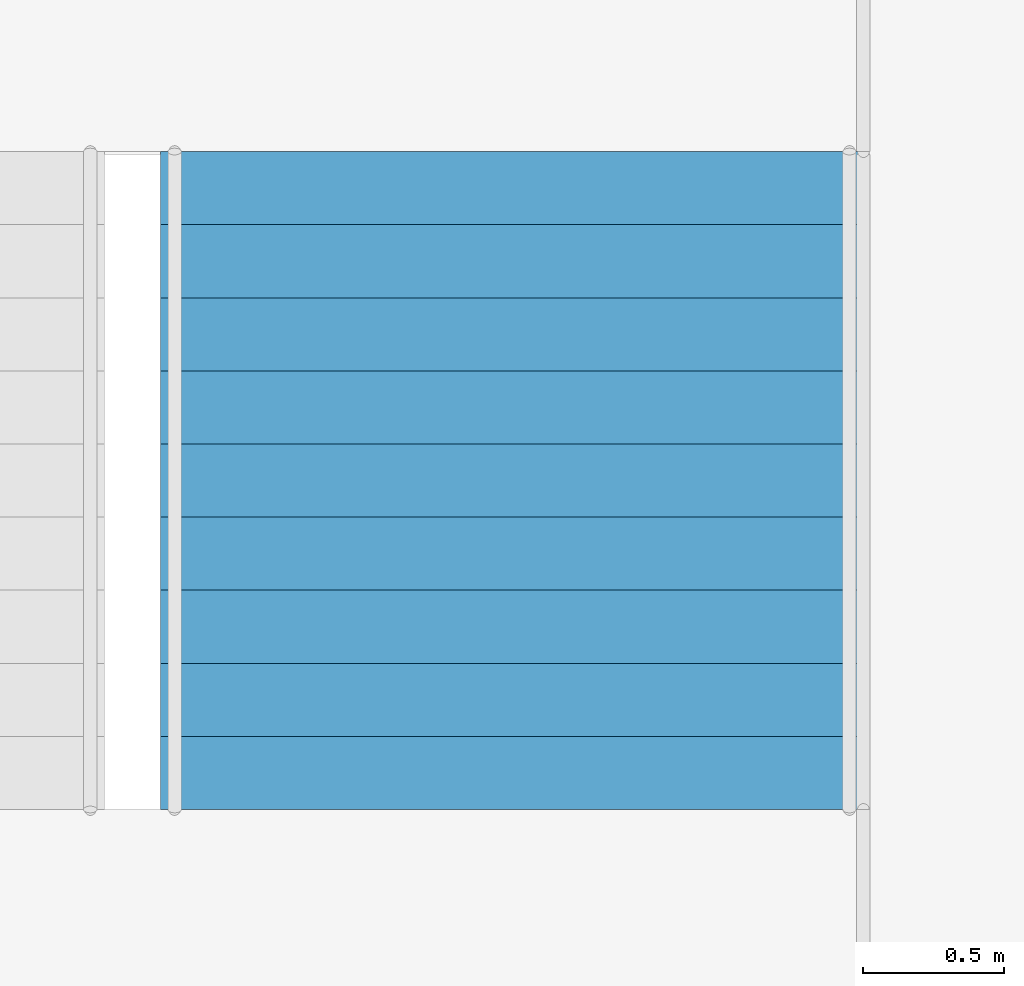
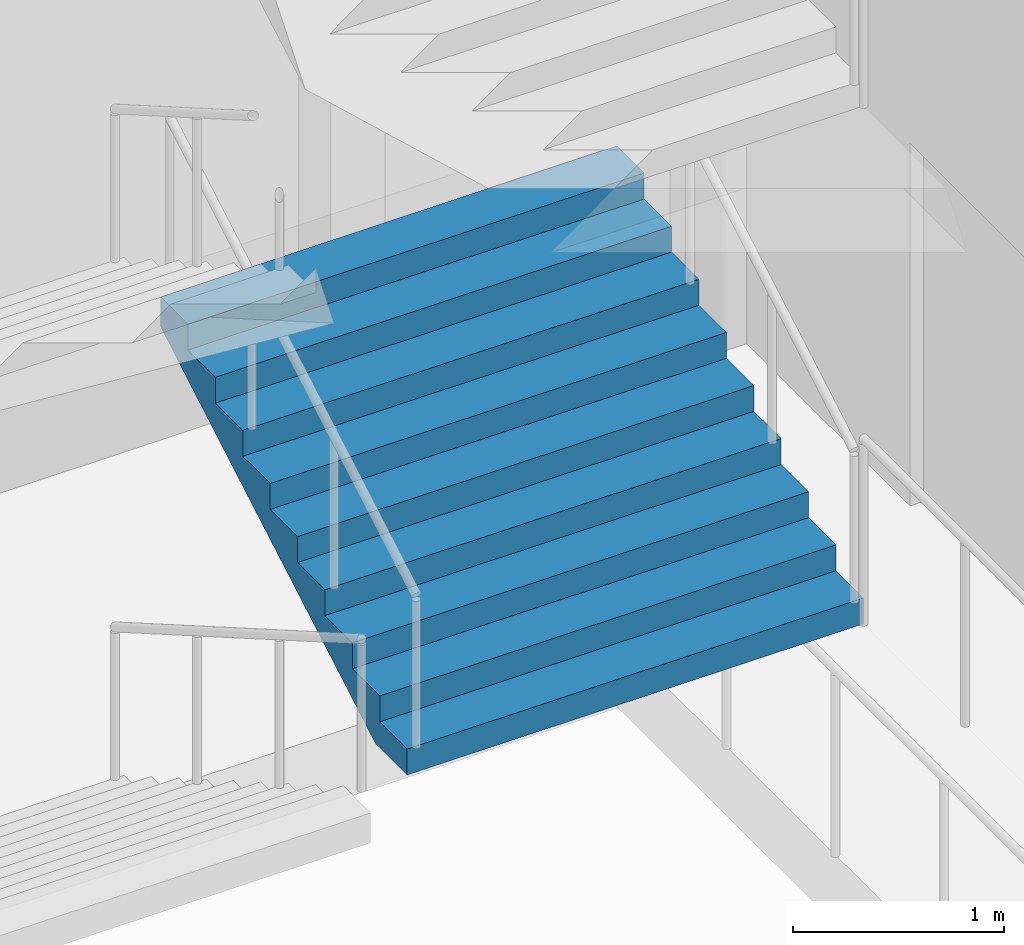
# One storey, part 60 of 100: 1 stair flight, 1 element without a shape of its own.
"""IFC4 building model written with IfcOpenShell, lengths in metres."""

from ifc_helpers import new_model, si_unit, direction, frame, origin, place, context, subcontext, project, spatial, triangles, material, type_object, element, aggregate, save


model = new_model("IFC4")

# Units and contexts
model_context = context("Model", 3, precision=1e-05, world=origin(), true_north=direction((0.0, 1.0)))
body_context = subcontext(model_context, "Body", "Model", "MODEL_VIEW")
ifc_project = project(units=[si_unit("LENGTHUNIT", "METRE"), si_unit("AREAUNIT", "SQUARE_METRE"), si_unit("VOLUMEUNIT", "CUBIC_METRE"), si_unit("PLANEANGLEUNIT", "RADIAN"), si_unit("MASSUNIT", "GRAM", prefix="KILO")], contexts=[model_context])

# Site, building, storey
site_placement = place(None, origin())
site = spatial("IfcSite", under=ifc_project, at=site_placement, CompositionType="ELEMENT")
building_placement = place(site_placement, origin())
building = spatial("IfcBuilding", under=site, at=building_placement, Name="Hakoniwa Tower and Hamabe Station Hall", CompositionType="ELEMENT")
storey_placement = place(building_placement, frame((0.0, 0.0, 9.0)))
storey = spatial("IfcBuildingStorey", under=building, at=storey_placement, Name="L02", CompositionType="ELEMENT", Elevation=9.0)

# Stair, stair flight
ifc_material_1 = material(Name="Concrete C40", Category="concrete")
stair_type = type_object("IfcStairType", Name="STAIR 2500 10X150", PredefinedType="HALF_TURN_STAIR", material=ifc_material_1)
stair_placement = place(storey_placement, origin())
stair = element("IfcStair", 1, at=stair_placement, inside=storey, type_object=stair_type, Name="Escape stair PS1", PredefinedType="HALF_TURN_STAIR")
ifc_material_2 = material(Name="Concrete C40", Category="concrete")
stair_flight_type = type_object("IfcStairFlightType", Name="STAIR FLIGHT 2500", PredefinedType="STRAIGHT", material=ifc_material_2)
stair_flight_placement = place(storey_placement, frame((-45.10009765625, 20.010009765625, 1.5), z_axis=(0.0, 0.0, 1.0), x_axis=(0.0, 1.0, 0.0)))
stair_flight = element("IfcStairFlight", 2, at=stair_flight_placement, type_object=stair_flight_type, Name="PS1 flight 2", NumberOfRisers=10, NumberOfTreads=9, PredefinedType="STRAIGHT", RiserHeight=0.15, TreadLength=0.26, context=body_context, shape_type="Tessellation", body=[
    triangles([(0.0, 1.25, 0.0), (0.260009765625, 1.25, 0.0), (0.300048828125, 1.25, 0.0), (0.52001953125, 1.25, 0.126953125), (0.780029296875, 1.25, 0.27685546875), (1.0400390625, 1.25, 0.427001953125), (1.300048828125, 1.25, 0.576904296875), (1.56005859375, 1.25, 0.72705078125), (1.820068359375, 1.25, 0.876953125), (2.080078125, 1.25, 1.02685546875), (2.340087890625, 1.25, 1.177001953125), (2.340087890625, 1.25, 1.35009765625), (2.080078125, 1.25, 1.35009765625), (2.080078125, 1.25, 1.199951171875), (1.820068359375, 1.25, 1.199951171875), (1.820068359375, 1.25, 1.050048828125), (1.56005859375, 1.25, 1.050048828125), (1.56005859375, 1.25, 0.89990234375), (1.300048828125, 1.25, 0.89990234375), (1.300048828125, 1.25, 0.75), (1.0400390625, 1.25, 0.75), (1.0400390625, 1.25, 0.60009765625), (0.780029296875, 1.25, 0.60009765625), (0.780029296875, 1.25, 0.449951171875), (0.52001953125, 1.25, 0.449951171875), (0.52001953125, 1.25, 0.300048828125), (0.300048828125, 1.25, 0.300048828125), (0.260009765625, 1.25, 0.300048828125), (0.260009765625, 1.25, 0.14990234375), (0.0, 1.25, 0.14990234375), (0.0, 0.06005859375, 0.0), (0.260009765625, 0.06005859375, 0.0), (0.300048828125, 0.06005859375, 0.0), (0.52001953125, 0.06005859375, 0.126953125), (0.780029296875, 0.06005859375, 0.27685546875), (1.0400390625, 0.06005859375, 0.427001953125), (1.300048828125, 0.06005859375, 0.576904296875), (1.56005859375, 0.06005859375, 0.72705078125), (1.820068359375, 0.06005859375, 0.876953125), (2.080078125, 0.06005859375, 1.02685546875), (2.340087890625, 0.06005859375, 1.177001953125), (2.340087890625, 0.06005859375, 1.35009765625), (2.080078125, 0.06005859375, 1.35009765625), (2.080078125, 0.06005859375, 1.199951171875), (1.820068359375, 0.06005859375, 1.199951171875), (1.820068359375, 0.06005859375, 1.050048828125), (1.56005859375, 0.06005859375, 1.050048828125), (1.56005859375, 0.06005859375, 0.89990234375), (1.300048828125, 0.06005859375, 0.89990234375), (1.300048828125, 0.06005859375, 0.75), (1.0400390625, 0.06005859375, 0.75), (1.0400390625, 0.06005859375, 0.60009765625), (0.780029296875, 0.06005859375, 0.60009765625), (0.780029296875, 0.06005859375, 0.449951171875), (0.52001953125, 0.06005859375, 0.449951171875), (0.52001953125, 0.06005859375, 0.300048828125), (0.300048828125, 0.06005859375, 0.300048828125), (0.260009765625, 0.06005859375, 0.300048828125), (0.260009765625, 0.06005859375, 0.14990234375), (0.0, 0.06005859375, 0.14990234375), (0.0, 0.049072265625, 0.0), (0.260009765625, 0.049072265625, 0.0), (0.300048828125, 0.049072265625, 0.0), (0.52001953125, 0.049072265625, 0.126953125), (0.780029296875, 0.049072265625, 0.27685546875), (1.0400390625, 0.049072265625, 0.427001953125), (1.300048828125, 0.049072265625, 0.576904296875), (1.56005859375, 0.049072265625, 0.72705078125), (1.820068359375, 0.049072265625, 0.876953125), (2.080078125, 0.049072265625, 1.02685546875), (2.340087890625, 0.049072265625, 1.177001953125), (2.340087890625, 0.049072265625, 1.35009765625), (2.080078125, 0.049072265625, 1.35009765625), (2.080078125, 0.049072265625, 1.199951171875), (1.820068359375, 0.049072265625, 1.199951171875), (1.820068359375, 0.049072265625, 1.050048828125), (1.56005859375, 0.049072265625, 1.050048828125), (1.56005859375, 0.049072265625, 0.89990234375), (1.300048828125, 0.049072265625, 0.89990234375), (1.300048828125, 0.049072265625, 0.75), (1.0400390625, 0.049072265625, 0.75), (1.0400390625, 0.049072265625, 0.60009765625), (0.780029296875, 0.049072265625, 0.60009765625), (0.780029296875, 0.049072265625, 0.449951171875), (0.52001953125, 0.049072265625, 0.449951171875), (0.52001953125, 0.049072265625, 0.300048828125), (0.300048828125, 0.049072265625, 0.300048828125), (0.260009765625, 0.049072265625, 0.300048828125), (0.260009765625, 0.049072265625, 0.14990234375), (0.0, 0.049072265625, 0.14990234375), (0.0, 0.0380859375, 0.0), (0.260009765625, 0.0380859375, 0.0), (0.300048828125, 0.0380859375, 0.0), (0.52001953125, 0.0380859375, 0.126953125), (0.780029296875, 0.0380859375, 0.27685546875), (1.0400390625, 0.0380859375, 0.427001953125), (1.300048828125, 0.0380859375, 0.576904296875), (1.56005859375, 0.0380859375, 0.72705078125), (1.820068359375, 0.0380859375, 0.876953125), (2.080078125, 0.0380859375, 1.02685546875), (2.340087890625, 0.0380859375, 1.177001953125), (2.340087890625, 0.0380859375, 1.35009765625), (2.080078125, 0.0380859375, 1.35009765625), (2.080078125, 0.0380859375, 1.199951171875), (1.820068359375, 0.0380859375, 1.199951171875), (1.820068359375, 0.0380859375, 1.050048828125), (1.56005859375, 0.0380859375, 1.050048828125), (1.56005859375, 0.0380859375, 0.89990234375), (1.300048828125, 0.0380859375, 0.89990234375), (1.300048828125, 0.0380859375, 0.75), (1.0400390625, 0.0380859375, 0.75), (1.0400390625, 0.0380859375, 0.60009765625), (0.780029296875, 0.0380859375, 0.60009765625), (0.780029296875, 0.0380859375, 0.449951171875), (0.52001953125, 0.0380859375, 0.449951171875), (0.52001953125, 0.0380859375, 0.300048828125), (0.300048828125, 0.0380859375, 0.300048828125), (0.260009765625, 0.0380859375, 0.300048828125), (0.260009765625, 0.0380859375, 0.14990234375), (0.0, 0.0380859375, 0.14990234375), (0.0, 0.02734375, 0.0), (0.260009765625, 0.02734375, 0.0), (0.300048828125, 0.02734375, 0.0), (0.52001953125, 0.02734375, 0.126953125), (0.780029296875, 0.02734375, 0.27685546875), (1.0400390625, 0.02734375, 0.427001953125), (1.300048828125, 0.02734375, 0.576904296875), (1.56005859375, 0.02734375, 0.72705078125), (1.820068359375, 0.02734375, 0.876953125), (2.080078125, 0.02734375, 1.02685546875), (2.340087890625, 0.02734375, 1.177001953125), (2.340087890625, 0.02734375, 1.35009765625), (2.080078125, 0.02734375, 1.35009765625), (2.080078125, 0.02734375, 1.199951171875), (1.820068359375, 0.02734375, 1.199951171875), (1.820068359375, 0.02734375, 1.050048828125), (1.56005859375, 0.02734375, 1.050048828125), (1.56005859375, 0.02734375, 0.89990234375), (1.300048828125, 0.02734375, 0.89990234375), (1.300048828125, 0.02734375, 0.75), (1.0400390625, 0.02734375, 0.75), (1.0400390625, 0.02734375, 0.60009765625), (0.780029296875, 0.02734375, 0.60009765625), (0.780029296875, 0.02734375, 0.449951171875), (0.52001953125, 0.02734375, 0.449951171875), (0.52001953125, 0.02734375, 0.300048828125), (0.300048828125, 0.02734375, 0.300048828125), (0.260009765625, 0.02734375, 0.300048828125), (0.260009765625, 0.02734375, 0.14990234375), (0.0, 0.02734375, 0.14990234375), (0.0, 0.016357421875, 0.0), (0.260009765625, 0.016357421875, 0.0), (0.300048828125, 0.016357421875, 0.0), (0.52001953125, 0.016357421875, 0.126953125), (0.780029296875, 0.016357421875, 0.27685546875), (1.0400390625, 0.016357421875, 0.427001953125), (1.300048828125, 0.016357421875, 0.576904296875), (1.56005859375, 0.016357421875, 0.72705078125), (1.820068359375, 0.016357421875, 0.876953125), (2.080078125, 0.016357421875, 1.02685546875), (2.340087890625, 0.016357421875, 1.177001953125), (2.340087890625, 0.016357421875, 1.35009765625), (2.080078125, 0.016357421875, 1.35009765625), (2.080078125, 0.016357421875, 1.199951171875), (1.820068359375, 0.016357421875, 1.199951171875), (1.820068359375, 0.016357421875, 1.050048828125), (1.56005859375, 0.016357421875, 1.050048828125), (1.56005859375, 0.016357421875, 0.89990234375), (1.300048828125, 0.016357421875, 0.89990234375), (1.300048828125, 0.016357421875, 0.75), (1.0400390625, 0.016357421875, 0.75), (1.0400390625, 0.016357421875, 0.60009765625), (0.780029296875, 0.016357421875, 0.60009765625), (0.780029296875, 0.016357421875, 0.449951171875), (0.52001953125, 0.016357421875, 0.449951171875), (0.52001953125, 0.016357421875, 0.300048828125), (0.300048828125, 0.016357421875, 0.300048828125), (0.260009765625, 0.016357421875, 0.300048828125), (0.260009765625, 0.016357421875, 0.14990234375), (0.0, 0.016357421875, 0.14990234375), (0.0, 0.00537109375, 0.0), (0.260009765625, 0.00537109375, 0.0), (0.300048828125, 0.00537109375, 0.0), (0.52001953125, 0.00537109375, 0.126953125), (0.780029296875, 0.00537109375, 0.27685546875), (1.0400390625, 0.00537109375, 0.427001953125), (1.300048828125, 0.00537109375, 0.576904296875), (1.56005859375, 0.00537109375, 0.72705078125), (1.820068359375, 0.00537109375, 0.876953125), (2.080078125, 0.00537109375, 1.02685546875), (2.340087890625, 0.00537109375, 1.177001953125), (2.340087890625, 0.00537109375, 1.35009765625), (2.080078125, 0.00537109375, 1.35009765625), (2.080078125, 0.00537109375, 1.199951171875), (1.820068359375, 0.00537109375, 1.199951171875), (1.820068359375, 0.00537109375, 1.050048828125), (1.56005859375, 0.00537109375, 1.050048828125), (1.56005859375, 0.00537109375, 0.89990234375), (1.300048828125, 0.00537109375, 0.89990234375), (1.300048828125, 0.00537109375, 0.75), (1.0400390625, 0.00537109375, 0.75), (1.0400390625, 0.00537109375, 0.60009765625), (0.780029296875, 0.00537109375, 0.60009765625), (0.780029296875, 0.00537109375, 0.449951171875), (0.52001953125, 0.00537109375, 0.449951171875), (0.52001953125, 0.00537109375, 0.300048828125), (0.300048828125, 0.00537109375, 0.300048828125), (0.260009765625, 0.00537109375, 0.300048828125), (0.260009765625, 0.00537109375, 0.14990234375), (0.0, 0.00537109375, 0.14990234375), (0.0, -0.00537109375, 0.0), (0.260009765625, -0.00537109375, 0.0), (0.300048828125, -0.00537109375, 0.0), (0.52001953125, -0.00537109375, 0.126953125), (0.780029296875, -0.00537109375, 0.27685546875), (1.0400390625, -0.00537109375, 0.427001953125), (1.300048828125, -0.00537109375, 0.576904296875), (1.56005859375, -0.00537109375, 0.72705078125), (1.820068359375, -0.00537109375, 0.876953125), (2.080078125, -0.00537109375, 1.02685546875), (2.340087890625, -0.00537109375, 1.177001953125), (2.340087890625, -0.00537109375, 1.35009765625), (2.080078125, -0.00537109375, 1.35009765625), (2.080078125, -0.00537109375, 1.199951171875), (1.820068359375, -0.00537109375, 1.199951171875), (1.820068359375, -0.00537109375, 1.050048828125), (1.56005859375, -0.00537109375, 1.050048828125), (1.56005859375, -0.00537109375, 0.89990234375), (1.300048828125, -0.00537109375, 0.89990234375), (1.300048828125, -0.00537109375, 0.75), (1.0400390625, -0.00537109375, 0.75), (1.0400390625, -0.00537109375, 0.60009765625), (0.780029296875, -0.00537109375, 0.60009765625), (0.780029296875, -0.00537109375, 0.449951171875), (0.52001953125, -0.00537109375, 0.449951171875), (0.52001953125, -0.00537109375, 0.300048828125), (0.300048828125, -0.00537109375, 0.300048828125), (0.260009765625, -0.00537109375, 0.300048828125), (0.260009765625, -0.00537109375, 0.14990234375), (0.0, -0.00537109375, 0.14990234375), (0.0, -0.016357421875, 0.0), (0.260009765625, -0.016357421875, 0.0), (0.300048828125, -0.016357421875, 0.0), (0.52001953125, -0.016357421875, 0.126953125), (0.780029296875, -0.016357421875, 0.27685546875), (1.0400390625, -0.016357421875, 0.427001953125), (1.300048828125, -0.016357421875, 0.576904296875), (1.56005859375, -0.016357421875, 0.72705078125), (1.820068359375, -0.016357421875, 0.876953125), (2.080078125, -0.016357421875, 1.02685546875), (2.340087890625, -0.016357421875, 1.177001953125), (2.340087890625, -0.016357421875, 1.35009765625), (2.080078125, -0.016357421875, 1.35009765625), (2.080078125, -0.016357421875, 1.199951171875), (1.820068359375, -0.016357421875, 1.199951171875), (1.820068359375, -0.016357421875, 1.050048828125), (1.56005859375, -0.016357421875, 1.050048828125), (1.56005859375, -0.016357421875, 0.89990234375), (1.300048828125, -0.016357421875, 0.89990234375), (1.300048828125, -0.016357421875, 0.75), (1.0400390625, -0.016357421875, 0.75), (1.0400390625, -0.016357421875, 0.60009765625), (0.780029296875, -0.016357421875, 0.60009765625), (0.780029296875, -0.016357421875, 0.449951171875), (0.52001953125, -0.016357421875, 0.449951171875), (0.52001953125, -0.016357421875, 0.300048828125), (0.300048828125, -0.016357421875, 0.300048828125), (0.260009765625, -0.016357421875, 0.300048828125), (0.260009765625, -0.016357421875, 0.14990234375), (0.0, -0.016357421875, 0.14990234375), (0.0, -0.02734375, 0.0), (0.260009765625, -0.02734375, 0.0), (0.300048828125, -0.02734375, 0.0), (0.52001953125, -0.02734375, 0.126953125), (0.780029296875, -0.02734375, 0.27685546875), (1.0400390625, -0.02734375, 0.427001953125), (1.300048828125, -0.02734375, 0.576904296875), (1.56005859375, -0.02734375, 0.72705078125), (1.820068359375, -0.02734375, 0.876953125), (2.080078125, -0.02734375, 1.02685546875), (2.340087890625, -0.02734375, 1.177001953125), (2.340087890625, -0.02734375, 1.35009765625), (2.080078125, -0.02734375, 1.35009765625), (2.080078125, -0.02734375, 1.199951171875), (1.820068359375, -0.02734375, 1.199951171875), (1.820068359375, -0.02734375, 1.050048828125), (1.56005859375, -0.02734375, 1.050048828125), (1.56005859375, -0.02734375, 0.89990234375), (1.300048828125, -0.02734375, 0.89990234375), (1.300048828125, -0.02734375, 0.75), (1.0400390625, -0.02734375, 0.75), (1.0400390625, -0.02734375, 0.60009765625), (0.780029296875, -0.02734375, 0.60009765625), (0.780029296875, -0.02734375, 0.449951171875), (0.52001953125, -0.02734375, 0.449951171875), (0.52001953125, -0.02734375, 0.300048828125), (0.300048828125, -0.02734375, 0.300048828125), (0.260009765625, -0.02734375, 0.300048828125), (0.260009765625, -0.02734375, 0.14990234375), (0.0, -0.02734375, 0.14990234375), (0.0, -0.0380859375, 0.0), (0.260009765625, -0.0380859375, 0.0), (0.300048828125, -0.0380859375, 0.0), (0.52001953125, -0.0380859375, 0.126953125), (0.780029296875, -0.0380859375, 0.27685546875), (1.0400390625, -0.0380859375, 0.427001953125), (1.300048828125, -0.0380859375, 0.576904296875), (1.56005859375, -0.0380859375, 0.72705078125), (1.820068359375, -0.0380859375, 0.876953125), (2.080078125, -0.0380859375, 1.02685546875), (2.340087890625, -0.0380859375, 1.177001953125), (2.340087890625, -0.0380859375, 1.35009765625), (2.080078125, -0.0380859375, 1.35009765625), (2.080078125, -0.0380859375, 1.199951171875), (1.820068359375, -0.0380859375, 1.199951171875), (1.820068359375, -0.0380859375, 1.050048828125), (1.56005859375, -0.0380859375, 1.050048828125), (1.56005859375, -0.0380859375, 0.89990234375), (1.300048828125, -0.0380859375, 0.89990234375), (1.300048828125, -0.0380859375, 0.75), (1.0400390625, -0.0380859375, 0.75), (1.0400390625, -0.0380859375, 0.60009765625), (0.780029296875, -0.0380859375, 0.60009765625), (0.780029296875, -0.0380859375, 0.449951171875), (0.52001953125, -0.0380859375, 0.449951171875), (0.52001953125, -0.0380859375, 0.300048828125), (0.300048828125, -0.0380859375, 0.300048828125), (0.260009765625, -0.0380859375, 0.300048828125), (0.260009765625, -0.0380859375, 0.14990234375), (0.0, -0.0380859375, 0.14990234375), (0.0, -0.049072265625, 0.0), (0.260009765625, -0.049072265625, 0.0), (0.300048828125, -0.049072265625, 0.0), (0.52001953125, -0.049072265625, 0.126953125), (0.780029296875, -0.049072265625, 0.27685546875), (1.0400390625, -0.049072265625, 0.427001953125), (1.300048828125, -0.049072265625, 0.576904296875), (1.56005859375, -0.049072265625, 0.72705078125), (1.820068359375, -0.049072265625, 0.876953125), (2.080078125, -0.049072265625, 1.02685546875), (2.340087890625, -0.049072265625, 1.177001953125), (2.340087890625, -0.049072265625, 1.35009765625), (2.080078125, -0.049072265625, 1.35009765625), (2.080078125, -0.049072265625, 1.199951171875), (1.820068359375, -0.049072265625, 1.199951171875), (1.820068359375, -0.049072265625, 1.050048828125), (1.56005859375, -0.049072265625, 1.050048828125), (1.56005859375, -0.049072265625, 0.89990234375), (1.300048828125, -0.049072265625, 0.89990234375), (1.300048828125, -0.049072265625, 0.75), (1.0400390625, -0.049072265625, 0.75), (1.0400390625, -0.049072265625, 0.60009765625), (0.780029296875, -0.049072265625, 0.60009765625), (0.780029296875, -0.049072265625, 0.449951171875), (0.52001953125, -0.049072265625, 0.449951171875), (0.52001953125, -0.049072265625, 0.300048828125), (0.300048828125, -0.049072265625, 0.300048828125), (0.260009765625, -0.049072265625, 0.300048828125), (0.260009765625, -0.049072265625, 0.14990234375), (0.0, -0.049072265625, 0.14990234375), (0.0, -0.06005859375, 0.0), (0.260009765625, -0.06005859375, 0.0), (0.300048828125, -0.06005859375, 0.0), (0.52001953125, -0.06005859375, 0.126953125), (0.780029296875, -0.06005859375, 0.27685546875), (1.0400390625, -0.06005859375, 0.427001953125), (1.300048828125, -0.06005859375, 0.576904296875), (1.56005859375, -0.06005859375, 0.72705078125), (1.820068359375, -0.06005859375, 0.876953125), (2.080078125, -0.06005859375, 1.02685546875), (2.340087890625, -0.06005859375, 1.177001953125), (2.340087890625, -0.06005859375, 1.35009765625), (2.080078125, -0.06005859375, 1.35009765625), (2.080078125, -0.06005859375, 1.199951171875), (1.820068359375, -0.06005859375, 1.199951171875), (1.820068359375, -0.06005859375, 1.050048828125), (1.56005859375, -0.06005859375, 1.050048828125), (1.56005859375, -0.06005859375, 0.89990234375), (1.300048828125, -0.06005859375, 0.89990234375), (1.300048828125, -0.06005859375, 0.75), (1.0400390625, -0.06005859375, 0.75), (1.0400390625, -0.06005859375, 0.60009765625), (0.780029296875, -0.06005859375, 0.60009765625), (0.780029296875, -0.06005859375, 0.449951171875), (0.52001953125, -0.06005859375, 0.449951171875), (0.52001953125, -0.06005859375, 0.300048828125), (0.300048828125, -0.06005859375, 0.300048828125), (0.260009765625, -0.06005859375, 0.300048828125), (0.260009765625, -0.06005859375, 0.14990234375), (0.0, -0.06005859375, 0.14990234375), (0.0, -1.25, 0.0), (0.260009765625, -1.25, 0.0), (0.300048828125, -1.25, 0.0), (0.52001953125, -1.25, 0.126953125), (0.780029296875, -1.25, 0.27685546875), (1.0400390625, -1.25, 0.427001953125), (1.300048828125, -1.25, 0.576904296875), (1.56005859375, -1.25, 0.72705078125), (1.820068359375, -1.25, 0.876953125), (2.080078125, -1.25, 1.02685546875), (2.340087890625, -1.25, 1.177001953125), (2.340087890625, -1.25, 1.35009765625), (2.080078125, -1.25, 1.35009765625), (2.080078125, -1.25, 1.199951171875), (1.820068359375, -1.25, 1.199951171875), (1.820068359375, -1.25, 1.050048828125), (1.56005859375, -1.25, 1.050048828125), (1.56005859375, -1.25, 0.89990234375), (1.300048828125, -1.25, 0.89990234375), (1.300048828125, -1.25, 0.75), (1.0400390625, -1.25, 0.75), (1.0400390625, -1.25, 0.60009765625), (0.780029296875, -1.25, 0.60009765625), (0.780029296875, -1.25, 0.449951171875), (0.52001953125, -1.25, 0.449951171875), (0.52001953125, -1.25, 0.300048828125), (0.300048828125, -1.25, 0.300048828125), (0.260009765625, -1.25, 0.300048828125), (0.260009765625, -1.25, 0.14990234375), (0.0, -1.25, 0.14990234375)], [[2, 30, 29], [392, 419, 420], [2, 1, 30], [392, 420, 391], [3, 28, 27], [393, 417, 418], [3, 29, 28], [393, 418, 419], [3, 2, 29], [393, 419, 392], [4, 27, 26], [394, 416, 417], [4, 3, 27], [394, 417, 393], [5, 25, 24], [395, 414, 415], [5, 26, 25], [395, 415, 416], [5, 4, 26], [395, 416, 394], [6, 23, 22], [396, 412, 413], [6, 24, 23], [396, 413, 414], [6, 5, 24], [396, 414, 395], [7, 21, 20], [397, 410, 411], [7, 22, 21], [397, 411, 412], [7, 6, 22], [397, 412, 396], [8, 19, 18], [398, 408, 409], [8, 20, 19], [398, 409, 410], [8, 7, 20], [398, 410, 397], [9, 17, 16], [399, 406, 407], [9, 18, 17], [399, 407, 408], [9, 8, 18], [399, 408, 398], [10, 15, 14], [400, 404, 405], [10, 16, 15], [400, 405, 406], [10, 9, 16], [400, 406, 399], [11, 13, 12], [401, 402, 403], [11, 14, 13], [401, 403, 404], [11, 10, 14], [401, 404, 400], [1, 2, 32], [1, 32, 31], [31, 32, 62], [31, 62, 61], [61, 62, 92], [61, 92, 91], [91, 92, 122], [91, 122, 121], [121, 122, 152], [121, 152, 151], [151, 152, 182], [151, 182, 181], [181, 182, 212], [181, 212, 211], [211, 212, 242], [211, 242, 241], [241, 242, 272], [241, 272, 271], [271, 272, 302], [271, 302, 301], [301, 302, 332], [301, 332, 331], [331, 332, 362], [331, 362, 361], [361, 362, 392], [361, 392, 391], [2, 3, 33], [2, 33, 32], [32, 33, 63], [32, 63, 62], [62, 63, 93], [62, 93, 92], [92, 93, 123], [92, 123, 122], [122, 123, 153], [122, 153, 152], [152, 153, 183], [152, 183, 182], [182, 183, 213], [182, 213, 212], [212, 213, 243], [212, 243, 242], [242, 243, 273], [242, 273, 272], [272, 273, 303], [272, 303, 302], [302, 303, 333], [302, 333, 332], [332, 333, 363], [332, 363, 362], [362, 363, 393], [362, 393, 392], [3, 4, 34], [3, 34, 33], [33, 34, 64], [33, 64, 63], [63, 64, 94], [63, 94, 93], [93, 94, 124], [93, 124, 123], [123, 124, 154], [123, 154, 153], [153, 154, 184], [153, 184, 183], [183, 184, 214], [183, 214, 213], [213, 214, 244], [213, 244, 243], [243, 244, 274], [243, 274, 273], [273, 274, 304], [273, 304, 303], [303, 304, 334], [303, 334, 333], [333, 334, 364], [333, 364, 363], [363, 364, 394], [363, 394, 393], [4, 5, 35], [4, 35, 34], [34, 35, 65], [34, 65, 64], [64, 65, 95], [64, 95, 94], [94, 95, 125], [94, 125, 124], [124, 125, 155], [124, 155, 154], [154, 155, 185], [154, 185, 184], [184, 185, 215], [184, 215, 214], [214, 215, 245], [214, 245, 244], [244, 245, 275], [244, 275, 274], [274, 275, 305], [274, 305, 304], [304, 305, 335], [304, 335, 334], [334, 335, 365], [334, 365, 364], [364, 365, 395], [364, 395, 394], [5, 6, 36], [5, 36, 35], [35, 36, 66], [35, 66, 65], [65, 66, 96], [65, 96, 95], [95, 96, 126], [95, 126, 125], [125, 126, 156], [125, 156, 155], [155, 156, 186], [155, 186, 185], [185, 186, 216], [185, 216, 215], [215, 216, 246], [215, 246, 245], [245, 246, 276], [245, 276, 275], [275, 276, 306], [275, 306, 305], [305, 306, 336], [305, 336, 335], [335, 336, 366], [335, 366, 365], [365, 366, 396], [365, 396, 395], [6, 7, 37], [6, 37, 36], [36, 37, 67], [36, 67, 66], [66, 67, 97], [66, 97, 96], [96, 97, 127], [96, 127, 126], [126, 127, 157], [126, 157, 156], [156, 157, 187], [156, 187, 186], [186, 187, 217], [186, 217, 216], [216, 217, 247], [216, 247, 246], [246, 247, 277], [246, 277, 276], [276, 277, 307], [276, 307, 306], [306, 307, 337], [306, 337, 336], [336, 337, 367], [336, 367, 366], [366, 367, 397], [366, 397, 396], [7, 8, 38], [7, 38, 37], [37, 38, 68], [37, 68, 67], [67, 68, 98], [67, 98, 97], [97, 98, 128], [97, 128, 127], [127, 128, 158], [127, 158, 157], [157, 158, 188], [157, 188, 187], [187, 188, 218], [187, 218, 217], [217, 218, 248], [217, 248, 247], [247, 248, 278], [247, 278, 277], [277, 278, 308], [277, 308, 307], [307, 308, 338], [307, 338, 337], [337, 338, 368], [337, 368, 367], [367, 368, 398], [367, 398, 397], [8, 9, 39], [8, 39, 38], [38, 39, 69], [38, 69, 68], [68, 69, 99], [68, 99, 98], [98, 99, 129], [98, 129, 128], [128, 129, 159], [128, 159, 158], [158, 159, 189], [158, 189, 188], [188, 189, 219], [188, 219, 218], [218, 219, 249], [218, 249, 248], [248, 249, 279], [248, 279, 278], [278, 279, 309], [278, 309, 308], [308, 309, 339], [308, 339, 338], [338, 339, 369], [338, 369, 368], [368, 369, 399], [368, 399, 398], [9, 10, 40], [9, 40, 39], [39, 40, 70], [39, 70, 69], [69, 70, 100], [69, 100, 99], [99, 100, 130], [99, 130, 129], [129, 130, 160], [129, 160, 159], [159, 160, 190], [159, 190, 189], [189, 190, 220], [189, 220, 219], [219, 220, 250], [219, 250, 249], [249, 250, 280], [249, 280, 279], [279, 280, 310], [279, 310, 309], [309, 310, 340], [309, 340, 339], [339, 340, 370], [339, 370, 369], [369, 370, 400], [369, 400, 399], [10, 11, 41], [10, 41, 40], [40, 41, 71], [40, 71, 70], [70, 71, 101], [70, 101, 100], [100, 101, 131], [100, 131, 130], [130, 131, 161], [130, 161, 160], [160, 161, 191], [160, 191, 190], [190, 191, 221], [190, 221, 220], [220, 221, 251], [220, 251, 250], [250, 251, 281], [250, 281, 280], [280, 281, 311], [280, 311, 310], [310, 311, 341], [310, 341, 340], [340, 341, 371], [340, 371, 370], [370, 371, 401], [370, 401, 400], [11, 12, 42], [11, 42, 41], [41, 42, 72], [41, 72, 71], [71, 72, 102], [71, 102, 101], [101, 102, 132], [101, 132, 131], [131, 132, 162], [131, 162, 161], [161, 162, 192], [161, 192, 191], [191, 192, 222], [191, 222, 221], [221, 222, 252], [221, 252, 251], [251, 252, 282], [251, 282, 281], [281, 282, 312], [281, 312, 311], [311, 312, 342], [311, 342, 341], [341, 342, 372], [341, 372, 371], [371, 372, 402], [371, 402, 401], [12, 13, 43], [12, 43, 42], [42, 43, 73], [42, 73, 72], [72, 73, 103], [72, 103, 102], [102, 103, 133], [102, 133, 132], [132, 133, 163], [132, 163, 162], [162, 163, 193], [162, 193, 192], [192, 193, 223], [192, 223, 222], [222, 223, 253], [222, 253, 252], [252, 253, 283], [252, 283, 282], [282, 283, 313], [282, 313, 312], [312, 313, 343], [312, 343, 342], [342, 343, 373], [342, 373, 372], [372, 373, 403], [372, 403, 402], [13, 14, 44], [13, 44, 43], [43, 44, 74], [43, 74, 73], [73, 74, 104], [73, 104, 103], [103, 104, 134], [103, 134, 133], [133, 134, 164], [133, 164, 163], [163, 164, 194], [163, 194, 193], [193, 194, 224], [193, 224, 223], [223, 224, 254], [223, 254, 253], [253, 254, 284], [253, 284, 283], [283, 284, 314], [283, 314, 313], [313, 314, 344], [313, 344, 343], [343, 344, 374], [343, 374, 373], [373, 374, 404], [373, 404, 403], [14, 15, 45], [14, 45, 44], [44, 45, 75], [44, 75, 74], [74, 75, 105], [74, 105, 104], [104, 105, 135], [104, 135, 134], [134, 135, 165], [134, 165, 164], [164, 165, 195], [164, 195, 194], [194, 195, 225], [194, 225, 224], [224, 225, 255], [224, 255, 254], [254, 255, 285], [254, 285, 284], [284, 285, 315], [284, 315, 314], [314, 315, 345], [314, 345, 344], [344, 345, 375], [344, 375, 374], [374, 375, 405], [374, 405, 404], [15, 16, 46], [15, 46, 45], [45, 46, 76], [45, 76, 75], [75, 76, 106], [75, 106, 105], [105, 106, 136], [105, 136, 135], [135, 136, 166], [135, 166, 165], [165, 166, 196], [165, 196, 195], [195, 196, 226], [195, 226, 225], [225, 226, 256], [225, 256, 255], [255, 256, 286], [255, 286, 285], [285, 286, 316], [285, 316, 315], [315, 316, 346], [315, 346, 345], [345, 346, 376], [345, 376, 375], [375, 376, 406], [375, 406, 405], [16, 17, 47], [16, 47, 46], [46, 47, 77], [46, 77, 76], [76, 77, 107], [76, 107, 106], [106, 107, 137], [106, 137, 136], [136, 137, 167], [136, 167, 166], [166, 167, 197], [166, 197, 196], [196, 197, 227], [196, 227, 226], [226, 227, 257], [226, 257, 256], [256, 257, 287], [256, 287, 286], [286, 287, 317], [286, 317, 316], [316, 317, 347], [316, 347, 346], [346, 347, 377], [346, 377, 376], [376, 377, 407], [376, 407, 406], [17, 18, 48], [17, 48, 47], [47, 48, 78], [47, 78, 77], [77, 78, 108], [77, 108, 107], [107, 108, 138], [107, 138, 137], [137, 138, 168], [137, 168, 167], [167, 168, 198], [167, 198, 197], [197, 198, 228], [197, 228, 227], [227, 228, 258], [227, 258, 257], [257, 258, 288], [257, 288, 287], [287, 288, 318], [287, 318, 317], [317, 318, 348], [317, 348, 347], [347, 348, 378], [347, 378, 377], [377, 378, 408], [377, 408, 407], [18, 19, 49], [18, 49, 48], [48, 49, 79], [48, 79, 78], [78, 79, 109], [78, 109, 108], [108, 109, 139], [108, 139, 138], [138, 139, 169], [138, 169, 168], [168, 169, 199], [168, 199, 198], [198, 199, 229], [198, 229, 228], [228, 229, 259], [228, 259, 258], [258, 259, 289], [258, 289, 288], [288, 289, 319], [288, 319, 318], [318, 319, 349], [318, 349, 348], [348, 349, 379], [348, 379, 378], [378, 379, 409], [378, 409, 408], [19, 20, 50], [19, 50, 49], [49, 50, 80], [49, 80, 79], [79, 80, 110], [79, 110, 109], [109, 110, 140], [109, 140, 139], [139, 140, 170], [139, 170, 169], [169, 170, 200], [169, 200, 199], [199, 200, 230], [199, 230, 229], [229, 230, 260], [229, 260, 259], [259, 260, 290], [259, 290, 289], [289, 290, 320], [289, 320, 319], [319, 320, 350], [319, 350, 349], [349, 350, 380], [349, 380, 379], [379, 380, 410], [379, 410, 409], [20, 21, 51], [20, 51, 50], [50, 51, 81], [50, 81, 80], [80, 81, 111], [80, 111, 110], [110, 111, 141], [110, 141, 140], [140, 141, 171], [140, 171, 170], [170, 171, 201], [170, 201, 200], [200, 201, 231], [200, 231, 230], [230, 231, 261], [230, 261, 260], [260, 261, 291], [260, 291, 290], [290, 291, 321], [290, 321, 320], [320, 321, 351], [320, 351, 350], [350, 351, 381], [350, 381, 380], [380, 381, 411], [380, 411, 410], [21, 22, 52], [21, 52, 51], [51, 52, 82], [51, 82, 81], [81, 82, 112], [81, 112, 111], [111, 112, 142], [111, 142, 141], [141, 142, 172], [141, 172, 171], [171, 172, 202], [171, 202, 201], [201, 202, 232], [201, 232, 231], [231, 232, 262], [231, 262, 261], [261, 262, 292], [261, 292, 291], [291, 292, 322], [291, 322, 321], [321, 322, 352], [321, 352, 351], [351, 352, 382], [351, 382, 381], [381, 382, 412], [381, 412, 411], [22, 23, 53], [22, 53, 52], [52, 53, 83], [52, 83, 82], [82, 83, 113], [82, 113, 112], [112, 113, 143], [112, 143, 142], [142, 143, 173], [142, 173, 172], [172, 173, 203], [172, 203, 202], [202, 203, 233], [202, 233, 232], [232, 233, 263], [232, 263, 262], [262, 263, 293], [262, 293, 292], [292, 293, 323], [292, 323, 322], [322, 323, 353], [322, 353, 352], [352, 353, 383], [352, 383, 382], [382, 383, 413], [382, 413, 412], [23, 24, 54], [23, 54, 53], [53, 54, 84], [53, 84, 83], [83, 84, 114], [83, 114, 113], [113, 114, 144], [113, 144, 143], [143, 144, 174], [143, 174, 173], [173, 174, 204], [173, 204, 203], [203, 204, 234], [203, 234, 233], [233, 234, 264], [233, 264, 263], [263, 264, 294], [263, 294, 293], [293, 294, 324], [293, 324, 323], [323, 324, 354], [323, 354, 353], [353, 354, 384], [353, 384, 383], [383, 384, 414], [383, 414, 413], [24, 25, 55], [24, 55, 54], [54, 55, 85], [54, 85, 84], [84, 85, 115], [84, 115, 114], [114, 115, 145], [114, 145, 144], [144, 145, 175], [144, 175, 174], [174, 175, 205], [174, 205, 204], [204, 205, 235], [204, 235, 234], [234, 235, 265], [234, 265, 264], [264, 265, 295], [264, 295, 294], [294, 295, 325], [294, 325, 324], [324, 325, 355], [324, 355, 354], [354, 355, 385], [354, 385, 384], [384, 385, 415], [384, 415, 414], [25, 26, 56], [25, 56, 55], [55, 56, 86], [55, 86, 85], [85, 86, 116], [85, 116, 115], [115, 116, 146], [115, 146, 145], [145, 146, 176], [145, 176, 175], [175, 176, 206], [175, 206, 205], [205, 206, 236], [205, 236, 235], [235, 236, 266], [235, 266, 265], [265, 266, 296], [265, 296, 295], [295, 296, 326], [295, 326, 325], [325, 326, 356], [325, 356, 355], [355, 356, 386], [355, 386, 385], [385, 386, 416], [385, 416, 415], [26, 27, 57], [26, 57, 56], [56, 57, 87], [56, 87, 86], [86, 87, 117], [86, 117, 116], [116, 117, 147], [116, 147, 146], [146, 147, 177], [146, 177, 176], [176, 177, 207], [176, 207, 206], [206, 207, 237], [206, 237, 236], [236, 237, 267], [236, 267, 266], [266, 267, 297], [266, 297, 296], [296, 297, 327], [296, 327, 326], [326, 327, 357], [326, 357, 356], [356, 357, 387], [356, 387, 386], [386, 387, 417], [386, 417, 416], [27, 28, 58], [27, 58, 57], [57, 58, 88], [57, 88, 87], [87, 88, 118], [87, 118, 117], [117, 118, 148], [117, 148, 147], [147, 148, 178], [147, 178, 177], [177, 178, 208], [177, 208, 207], [207, 208, 238], [207, 238, 237], [237, 238, 268], [237, 268, 267], [267, 268, 298], [267, 298, 297], [297, 298, 328], [297, 328, 327], [327, 328, 358], [327, 358, 357], [357, 358, 388], [357, 388, 387], [387, 388, 418], [387, 418, 417], [28, 29, 59], [28, 59, 58], [58, 59, 89], [58, 89, 88], [88, 89, 119], [88, 119, 118], [118, 119, 149], [118, 149, 148], [148, 149, 179], [148, 179, 178], [178, 179, 209], [178, 209, 208], [208, 209, 239], [208, 239, 238], [238, 239, 269], [238, 269, 268], [268, 269, 299], [268, 299, 298], [298, 299, 329], [298, 329, 328], [328, 329, 359], [328, 359, 358], [358, 359, 389], [358, 389, 388], [388, 389, 419], [388, 419, 418], [29, 30, 60], [29, 60, 59], [59, 60, 90], [59, 90, 89], [89, 90, 120], [89, 120, 119], [119, 120, 150], [119, 150, 149], [149, 150, 180], [149, 180, 179], [179, 180, 210], [179, 210, 209], [209, 210, 240], [209, 240, 239], [239, 240, 270], [239, 270, 269], [269, 270, 300], [269, 300, 299], [299, 300, 330], [299, 330, 329], [329, 330, 360], [329, 360, 359], [359, 360, 390], [359, 390, 389], [389, 390, 420], [389, 420, 419], [30, 1, 31], [30, 31, 60], [60, 31, 61], [60, 61, 90], [90, 61, 91], [90, 91, 120], [120, 91, 121], [120, 121, 150], [150, 121, 151], [150, 151, 180], [180, 151, 181], [180, 181, 210], [210, 181, 211], [210, 211, 240], [240, 211, 241], [240, 241, 270], [270, 241, 271], [270, 271, 300], [300, 271, 301], [300, 301, 330], [330, 301, 331], [330, 331, 360], [360, 331, 361], [360, 361, 390], [390, 361, 391], [390, 391, 420]], closed=True),
])
aggregate(stair, [stair_flight])

save(model, "model.ifc")
